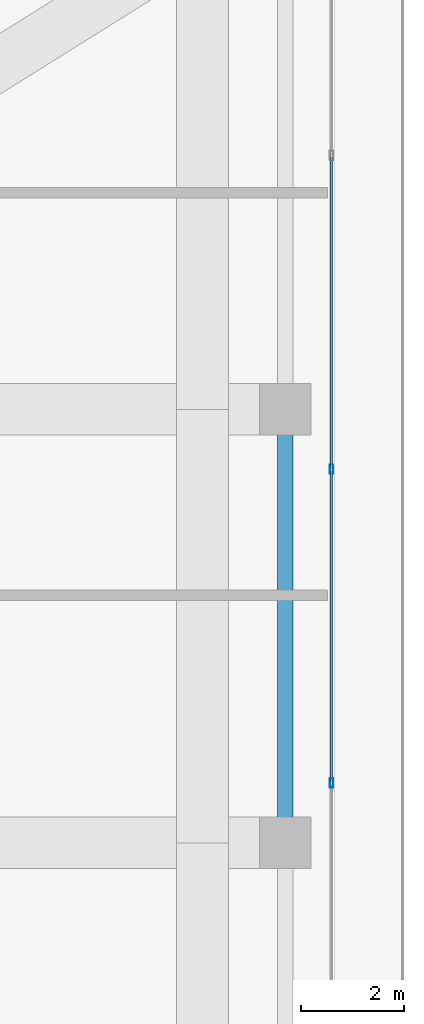
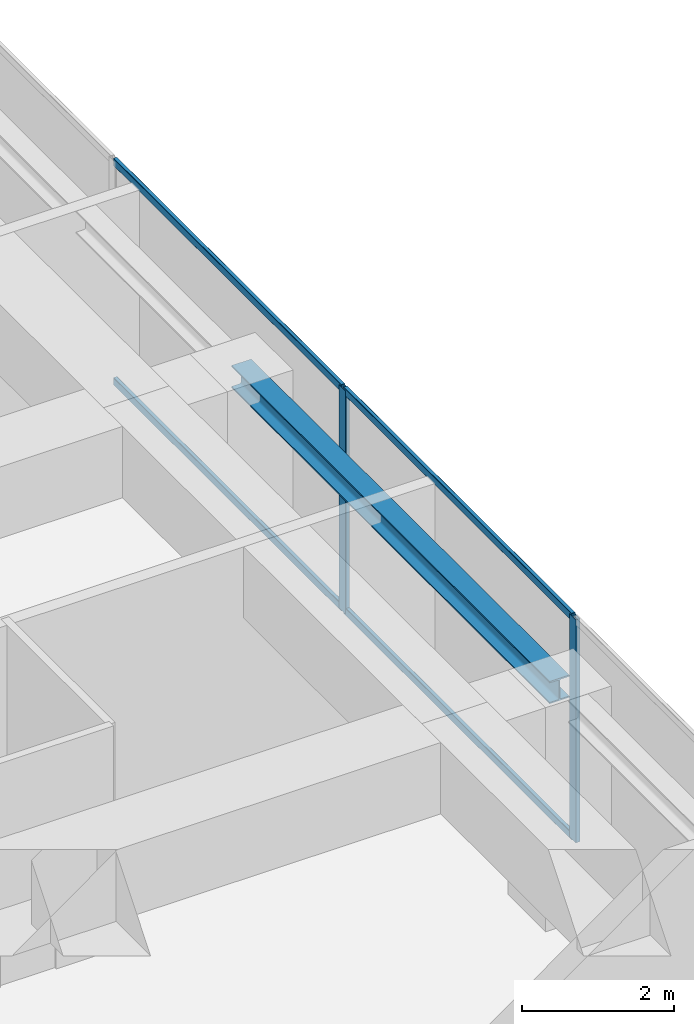
# One storey, part 19 of 40: 6 members, 1 beam, 1 element without a shape of its own.
"""IFC4 building model written with IfcOpenShell, lengths in metres."""

from ifc_helpers import new_model, si_unit, direction, frame, origin, origin_2d, place, context, subcontext, project, spatial, hollow_rectangle, i_section, extrude, source, transform, mapped, material, layer, layer_set, material_profile, profile_set, type_object, element, aggregate, save


model = new_model("IFC4")

# Units and contexts
model_context = context("Model", 3, precision=1e-05, world=origin(), true_north=direction((0.0, 1.0)))
body_context = subcontext(model_context, "Body", "Model", "MODEL_VIEW")
ifc_project = project(units=[si_unit("LENGTHUNIT", "METRE"), si_unit("AREAUNIT", "SQUARE_METRE"), si_unit("VOLUMEUNIT", "CUBIC_METRE"), si_unit("PLANEANGLEUNIT", "RADIAN"), si_unit("MASSUNIT", "GRAM", prefix="KILO")], contexts=[model_context])

# Site, building, storey
site_placement = place(None, origin())
site = spatial("IfcSite", under=ifc_project, at=site_placement, CompositionType="ELEMENT")
building_placement = place(site_placement, origin())
building = spatial("IfcBuilding", under=site, at=building_placement, Name="Serunith Strait Residences", CompositionType="ELEMENT")
storey_placement = place(building_placement, frame((0.0, 0.0, 333.949951171875)))
storey = spatial("IfcBuildingStorey", under=building, at=storey_placement, Name="L83", CompositionType="ELEMENT", Elevation=333.949951171875)

# Beam
ifc_material_1 = material(Name="Steel S355J2", Category="steel")
ifc_material_profile_1 = material_profile(ifc_material_1, i_section(OverallWidth=0.300048828125, OverallDepth=0.360107421875, WebThickness=0.012451171875, FlangeThickness=0.0224609375, FilletRadius=0.027099609375, at=origin_2d()), Name="HEB 360")
ifc_profile_set_1 = profile_set([ifc_material_profile_1], Name="Steel S355J2")
beam_type = type_object("IfcBeamType", Name="BM-HEB360", PredefinedType="BEAM", material=ifc_profile_set_1)
shared_shape_1 = source(origin(), body_context, "Body", "SweptSolid", [
    extrude(i_section(OverallWidth=0.300048828125, OverallDepth=0.360107421875, WebThickness=0.012451171875, FlangeThickness=0.0224609375, FilletRadius=0.027099609375, at=origin_2d()), origin(), (0.0, 0.0, 1.0), 8.39990234375),
])
beam_placement = place(storey_placement, frame((54.699951171875, 21.0, 3.427001953125), z_axis=(0.0, 1.0, 0.0), x_axis=(-1.0, 0.0, 0.0)))
element("IfcBeam", 1, at=beam_placement, inside=storey, type_object=beam_type, Name="L83 Perimeter Ring Beam 06", PredefinedType="BEAM", context=body_context, shape_type="MappedRepresentation", body=[
    mapped(shared_shape_1, transform((0.0, 0.0, 0.0), scale=1.0)),
])

# Curtain wall, members
ifc_material_2 = material(Name="Brushed Stainless-Silver Aluminium", Category="aluminium")
ifc_layer = layer(ifc_material_2, 0.199951171875, Name="Brushed Stainless-Silver Aluminium")
ifc_layer_set = layer_set([ifc_layer], Name="Brushed Stainless-Silver Aluminium")
curtain_wall_type = type_object("IfcCurtainWallType", Name="CW-SYS5", PredefinedType="NOTDEFINED", material=ifc_layer_set)
curtain_wall_placement = place(storey_placement, origin())
curtain_wall = element("IfcCurtainWall", 2, at=curtain_wall_placement, inside=storey, type_object=curtain_wall_type, Name="L83 E Unitised Fritted Curtain Wall", PredefinedType="NOTDEFINED")
ifc_material_profile_2 = material_profile(ifc_material_2, hollow_rectangle(XDim=0.06005859375, YDim=0.1201171875, WallThickness=0.00341796875, InnerFilletRadius=0.00537109375, OuterFilletRadius=0.0087890625, at=origin_2d()), Name="ALU 120x60x3.5")
ifc_profile_set_2 = profile_set([ifc_material_profile_2], Name="Brushed Stainless-Silver Aluminium")
member_type_1 = type_object("IfcMemberType", Name="CW-SYS5-TRAN", PredefinedType="USERDEFINED", material=ifc_profile_set_2)
shared_shape_2 = source(origin(), body_context, "Body", "SweptSolid", [
    extrude(hollow_rectangle(XDim=0.06005859375, YDim=0.1201171875, WallThickness=0.00341796875, InnerFilletRadius=0.00537109375, OuterFilletRadius=0.0087890625, at=origin_2d()), origin(), (0.0, 0.0, 1.0), 6.01513671875),
])
member_1_placement = place(storey_placement, frame((55.60009765625, 22.1923828125, 0.030029296875), z_axis=(0.0, 1.0, 0.0), x_axis=(-1.0, 0.0, 0.0)))
member_1 = element("IfcMember", 3, at=member_1_placement, type_object=member_type_1, Name="CW-5 transom 3.1", ObjectType="TRANSOM", PredefinedType="USERDEFINED", context=body_context, shape_type="MappedRepresentation", body=[
    mapped(shared_shape_2, transform((0.0, 0.0, 0.0), scale=1.0)),
])
member_2_placement = place(storey_placement, frame((55.60009765625, 22.1923828125, 3.56494140625), z_axis=(0.0, 1.0, 0.0), x_axis=(-1.0, 0.0, 0.0)))
member_2 = element("IfcMember", 4, at=member_2_placement, type_object=member_type_1, Name="CW-5 transom 3.2", ObjectType="TRANSOM", PredefinedType="USERDEFINED", context=body_context, shape_type="MappedRepresentation", body=[
    mapped(shared_shape_2, transform((0.0, 0.0, 0.0), scale=1.0)),
])
member_3_placement = place(storey_placement, frame((55.60009765625, 28.2724609375, 0.030029296875), z_axis=(0.0, 1.0, 0.0), x_axis=(-1.0, 0.0, 0.0)))
member_3 = element("IfcMember", 5, at=member_3_placement, type_object=member_type_1, Name="CW-5 transom 4.1", ObjectType="TRANSOM", PredefinedType="USERDEFINED", context=body_context, shape_type="MappedRepresentation", body=[
    mapped(shared_shape_2, transform((0.0, 0.0, 0.0), scale=1.0)),
])
member_4_placement = place(storey_placement, frame((55.60009765625, 28.2724609375, 3.56494140625), z_axis=(0.0, 1.0, 0.0), x_axis=(-1.0, 0.0, 0.0)))
member_4 = element("IfcMember", 6, at=member_4_placement, type_object=member_type_1, Name="CW-5 transom 4.2", ObjectType="TRANSOM", PredefinedType="USERDEFINED", context=body_context, shape_type="MappedRepresentation", body=[
    mapped(shared_shape_2, transform((0.0, 0.0, 0.0), scale=1.0)),
])
ifc_material_profile_3 = material_profile(ifc_material_2, hollow_rectangle(XDim=0.06494140625, YDim=0.179931640625, WallThickness=0.00341796875, InnerFilletRadius=0.00537109375, OuterFilletRadius=0.0087890625, at=origin_2d()), Name="ALU 180x65x3.5")
ifc_profile_set_3 = profile_set([ifc_material_profile_3], Name="Brushed Stainless-Silver Aluminium")
member_type_2 = type_object("IfcMemberType", Name="CW-SYS5-MULL", PredefinedType="MULLION", material=ifc_profile_set_3)
shared_shape_3 = source(origin(), body_context, "Body", "SweptSolid", [
    extrude(hollow_rectangle(XDim=0.06494140625, YDim=0.179931640625, WallThickness=0.00341796875, InnerFilletRadius=0.00537109375, OuterFilletRadius=0.0087890625, at=origin_2d()), origin(), (0.0, 0.0, 1.0), 3.594970703125),
])
member_5_placement = place(storey_placement, frame((55.60009765625, 22.159912109375, 0.0), z_axis=(0.0, 0.0, 1.0), x_axis=(-1.0, 0.0, 0.0)))
member_5 = element("IfcMember", 7, at=member_5_placement, type_object=member_type_2, Name="CW-5 mullion 3", PredefinedType="MULLION", context=body_context, shape_type="MappedRepresentation", body=[
    mapped(shared_shape_3, transform((0.0, 0.0, 0.0), scale=1.0)),
])
member_6_placement = place(storey_placement, frame((55.60009765625, 28.239990234375, 0.0), z_axis=(0.0, 0.0, 1.0), x_axis=(-1.0, 0.0, 0.0)))
member_6 = element("IfcMember", 8, at=member_6_placement, type_object=member_type_2, Name="CW-5 mullion 4", PredefinedType="MULLION", context=body_context, shape_type="MappedRepresentation", body=[
    mapped(shared_shape_3, transform((0.0, 0.0, 0.0), scale=1.0)),
])
aggregate(curtain_wall, [member_5, member_6, member_1, member_2, member_3, member_4])

save(model, "model.ifc")
